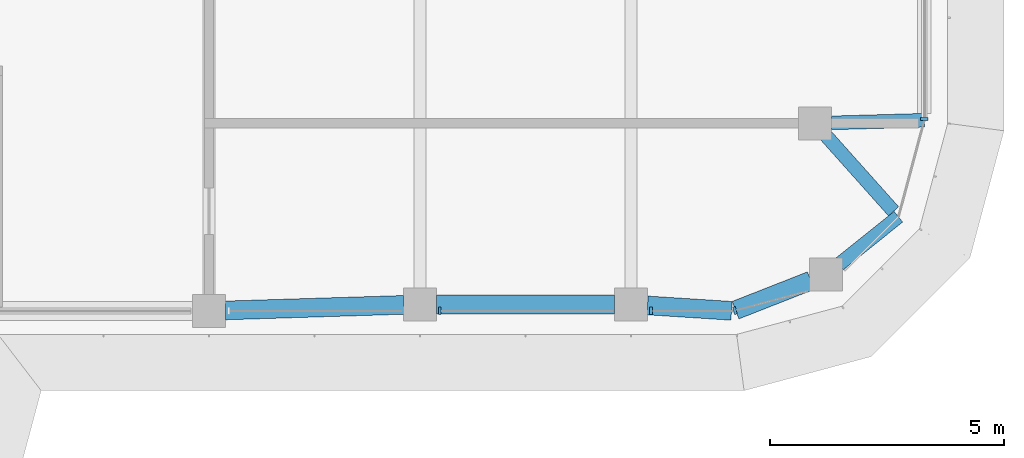
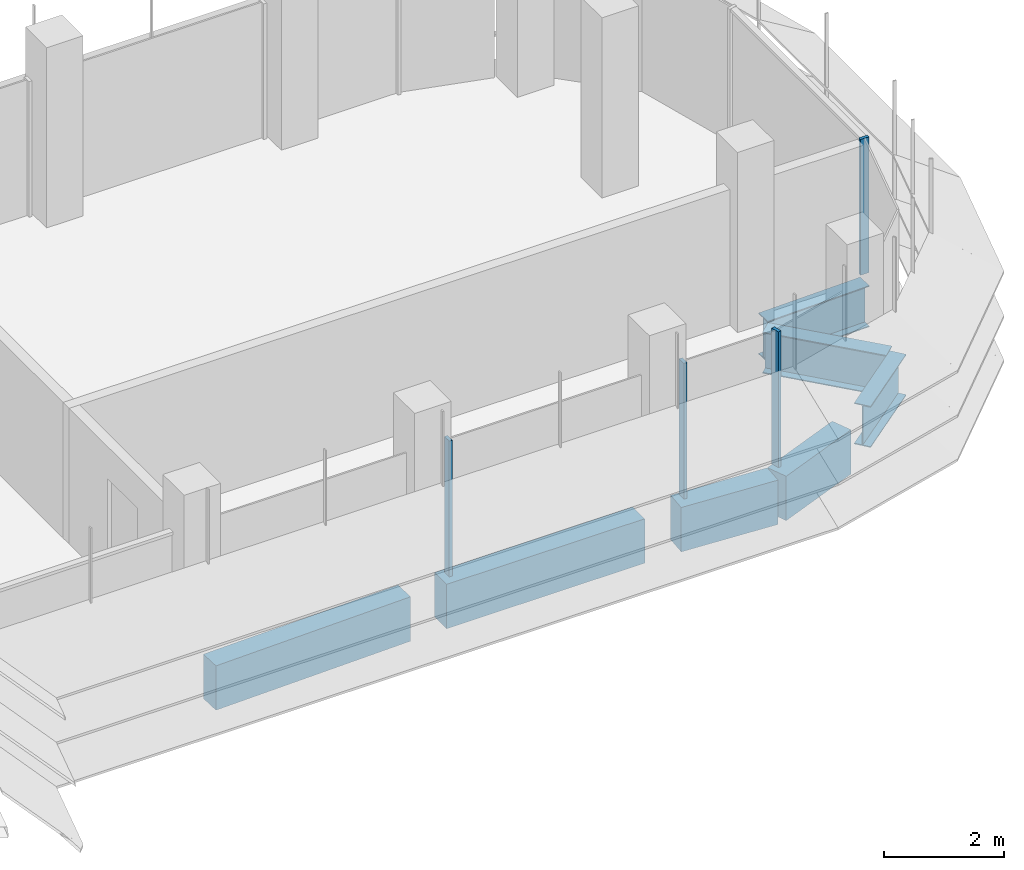
# One storey, part 5 of 19: 7 beams, 4 members, 3 elements without a shape of their own.
"""IFC4 building model written with IfcOpenShell, lengths in metres."""

from ifc_helpers import new_model, si_unit, direction, frame, origin, origin_2d, place, context, subcontext, project, spatial, polyline, rectangle, i_section, outline, extrude, source, transform, mapped, material, material_profile, profile_set, type_object, element, aggregate, save


model = new_model("IFC4")

# Units and contexts
model_context = context("Model", 3, precision=1e-05, world=origin(), true_north=direction((0.0, 1.0)))
body_context = subcontext(model_context, "Body", "Model", "MODEL_VIEW")
ifc_project = project(units=[si_unit("LENGTHUNIT", "METRE"), si_unit("AREAUNIT", "SQUARE_METRE"), si_unit("VOLUMEUNIT", "CUBIC_METRE"), si_unit("PLANEANGLEUNIT", "RADIAN"), si_unit("MASSUNIT", "GRAM", prefix="KILO")], contexts=[model_context])

# Site, building, storey
site_placement = place(None, origin())
site = spatial("IfcSite", under=ifc_project, at=site_placement, CompositionType="ELEMENT")
building_placement = place(site_placement, origin())
building = spatial("IfcBuilding", under=site, at=building_placement, Name="Zarbagh Exchange Tower", CompositionType="ELEMENT")
storey_placement = place(building_placement, frame((0.0, 0.0, 222.0)))
storey = spatial("IfcBuildingStorey", under=building, at=storey_placement, Name="L54", CompositionType="ELEMENT", Elevation=222.0)

# Beams
ifc_material_1 = material(Name="Steel ASTM A992 Gr 50", Category="steel")
ifc_material_profile_1 = material_profile(ifc_material_1, i_section(OverallWidth=0.2919921875, OverallDepth=0.835693359375, WebThickness=0.013916015625, FlangeThickness=0.018798828125, at=origin_2d()), Name="W33X118")
ifc_profile_set_1 = profile_set([ifc_material_profile_1], Name="Steel ASTM A992 Gr 50")
beam_type_1 = type_object("IfcBeamType", Name="Floor girder W33X118", PredefinedType="BEAM", material=ifc_profile_set_1)
beam_1_placement = place(storey_placement, frame((31.0, -2.18408203125, -0.56787109375), z_axis=(-0.999601581355, -0.028225494714, 0.0), x_axis=(0.028225494714, -0.999601581355, 0.0)))
element("IfcBeam", 1, at=beam_1_placement, inside=storey, type_object=beam_type_1, Name="Steel girder", PredefinedType="BEAM", context=body_context, shape_type="SweptSolid", body=[
    extrude(i_section(OverallWidth=0.2919921875, OverallDepth=0.835693359375, WebThickness=0.013916015625, FlangeThickness=0.018798828125, at=origin_2d()), origin(), (0.0, 0.0, 1.0), 1.980712890625),
])
beam_2_placement = place(storey_placement, frame((28.9033203125, -2.510986328125, -0.56787109375), z_axis=(0.666194955403, -0.745777635355, 0.0), x_axis=(0.745777635355, 0.666194955403, 0.0)))
element("IfcBeam", 2, at=beam_2_placement, inside=storey, type_object=beam_type_1, Name="Steel girder", PredefinedType="BEAM", context=body_context, shape_type="SweptSolid", body=[
    extrude(i_section(OverallWidth=0.2919921875, OverallDepth=0.835693359375, WebThickness=0.013916015625, FlangeThickness=0.018798828125, at=origin_2d()), origin(), (0.0, 0.0, 1.0), 2.165771484375),
])
beam_3_placement = place(storey_placement, frame((30.44873046875, -4.2412109375, -0.56787109375), z_axis=(-0.780619385558, -0.625006699877, 0.0), x_axis=(0.625006699877, -0.780619385558, 0.0)))
element("IfcBeam", 3, at=beam_3_placement, inside=storey, type_object=beam_type_1, Name="Steel girder", PredefinedType="BEAM", context=body_context, shape_type="SweptSolid", body=[
    extrude(i_section(OverallWidth=0.2919921875, OverallDepth=0.835693359375, WebThickness=0.013916015625, FlangeThickness=0.018798828125, at=origin_2d()), origin(), (0.0, 0.0, 1.0), 1.623779296875),
])
ifc_material_2 = material(Name="Concrete C50/60", Category="concrete")
ifc_material_profile_2 = material_profile(ifc_material_2, rectangle(XDim=0.39990234375, YDim=0.89990234375, at=origin_2d()), Name="RC spandrel beam 400 x 900 C50/60")
ifc_profile_set_2 = profile_set([ifc_material_profile_2], Name="Concrete C50/60")
beam_type_2 = type_object("IfcBeamType", Name="RC spandrel beam 400 x 900 C50/60", PredefinedType="SPANDREL", material=ifc_profile_set_2)
beam_4_placement = place(storey_placement, frame((28.582275390625, -5.602783203125, -0.60009765625), z_axis=(-0.930818525178, -0.365481700207, 0.0), x_axis=(0.365481700207, -0.930818525178, 0.0)))
element("IfcBeam", 4, at=beam_4_placement, inside=storey, type_object=beam_type_2, Name="RC spandrel beam", PredefinedType="SPANDREL", context=body_context, shape_type="SweptSolid", body=[
    extrude(rectangle(XDim=0.39990234375, YDim=0.89990234375, at=origin_2d()), origin(), (0.0, 0.0, 1.0), 1.72607421875),
])
beam_5_placement = place(storey_placement, frame((26.8896484375, -6.247314453125, -0.60009765625), z_axis=(-0.997943601797, 0.064098109429, 0.0), x_axis=(-0.064098109429, -0.997943601797, 0.0)))
element("IfcBeam", 5, at=beam_5_placement, inside=storey, type_object=beam_type_2, Name="RC spandrel beam", PredefinedType="SPANDREL", context=body_context, shape_type="SweptSolid", body=[
    extrude(rectangle(XDim=0.39990234375, YDim=0.89990234375, at=origin_2d()), origin(), (0.0, 0.0, 1.0), 1.7939453125),
])
beam_6_placement = place(storey_placement, frame((24.39990234375, -6.110107421875, -0.60009765625), z_axis=(-1.0, 0.0, 0.0), x_axis=(0.0, -1.0, 0.0)))
element("IfcBeam", 6, at=beam_6_placement, inside=storey, type_object=beam_type_2, Name="RC spandrel beam", PredefinedType="SPANDREL", context=body_context, shape_type="SweptSolid", body=[
    extrude(rectangle(XDim=0.39990234375, YDim=0.89990234375, at=origin_2d()), origin(), (0.0, 0.0, 1.0), 3.7998046875),
])
beam_7_placement = place(storey_placement, frame((19.900146484375, -6.120849609375, -0.60009765625), z_axis=(-0.999516950199, -0.031078389046, 0.0), x_axis=(0.031078389046, -0.999516950199, 0.0)))
element("IfcBeam", 7, at=beam_7_placement, inside=storey, type_object=beam_type_2, Name="RC spandrel beam", PredefinedType="SPANDREL", context=body_context, shape_type="SweptSolid", body=[
    extrude(rectangle(XDim=0.39990234375, YDim=0.89990234375, at=origin_2d()), origin(), (0.0, 0.0, 1.0), 3.80224609375),
])

# Curtain wall, members
ifc_material_3 = material(Name="Anodised aluminium frame and glazing", Category="aluminium")
curtain_wall_type = type_object("IfcCurtainWallType", Name="CWB Ribbon glazing, upper zones", PredefinedType="NOTDEFINED", material=ifc_material_3)
curtain_wall_1_placement = place(storey_placement, origin())
curtain_wall_1 = element("IfcCurtainWall", 8, at=curtain_wall_1_placement, inside=storey, type_object=curtain_wall_type, Name="CWB08 curtain wall", PredefinedType="NOTDEFINED")
ifc_material_4 = material(Name="Anodised aluminium frame", Category="aluminium")
member_type = type_object("IfcMemberType", Name="MUB Mullion, anodised aluminium frame", PredefinedType="MULLION", material=ifc_material_4)
shared_shape = source(origin(), body_context, "Body", "SweptSolid", [
    extrude(outline(polyline([(0.0, -0.080078125), (0.06005859375, -0.080078125), (0.06005859375, 0.080078125), (0.0, 0.080078125), (0.0, -0.080078125)])), origin(), (0.0, 0.0, 1.0), 2.75),
])
placement = place(storey_placement, origin())
member_1 = element("IfcMember", 9, at=placement, type_object=member_type, Name="CWB08 mullion 3.1", PredefinedType="MULLION", context=body_context, shape_type="MappedRepresentation", body=[
    mapped(shared_shape, transform((20.64013671875, -6.25, 0.0), x_axis=(1.0, 0.0, 0.0), y_axis=(0.0, 1.0, 0.0), z_axis=(0.0, 0.0, 1.0))),
])
member_2 = element("IfcMember", 10, at=placement, type_object=member_type, Name="CWB08 mullion 4.1", PredefinedType="MULLION", context=body_context, shape_type="MappedRepresentation", body=[
    mapped(shared_shape, transform((25.14013671875, -6.25, 0.0), x_axis=(1.0, 0.0, 0.0), y_axis=(0.0, 1.0, 0.0), z_axis=(0.0, 0.0, 1.0))),
])
aggregate(curtain_wall_1, [member_1, member_2])

# Curtain wall, member
curtain_wall_2_placement = place(storey_placement, origin())
curtain_wall_2 = element("IfcCurtainWall", 11, at=curtain_wall_2_placement, inside=storey, type_object=curtain_wall_type, Name="CWB09 curtain wall", PredefinedType="NOTDEFINED")
member_3 = element("IfcMember", 12, at=placement, type_object=member_type, Name="CWB09 mullion 1.1", PredefinedType="MULLION", context=body_context, shape_type="MappedRepresentation", body=[
    mapped(shared_shape, transform((26.93408203125, -6.25, 0.0), x_axis=(0.965924289636, 0.258824779902, 0.0), y_axis=(-0.258824779902, 0.965924289636, 0.0), z_axis=(0.0, 0.0, 1.0))),
])
aggregate(curtain_wall_2, [member_3])

curtain_wall_3_placement = place(storey_placement, origin())
curtain_wall_3 = element("IfcCurtainWall", 13, at=curtain_wall_3_placement, inside=storey, type_object=curtain_wall_type, Name="CWB12 curtain wall", PredefinedType="NOTDEFINED")
member_4 = element("IfcMember", 14, at=placement, type_object=member_type, Name="CWB12 mullion 1.1", PredefinedType="MULLION", context=body_context, shape_type="MappedRepresentation", body=[
    mapped(shared_shape, transform((31.0, -2.18408203125, 0.0), x_axis=(0.0, 1.0, 0.0), y_axis=(-1.0, 0.0, 0.0), z_axis=(0.0, 0.0, 1.0))),
])
aggregate(curtain_wall_3, [member_4])

save(model, "model.ifc")
